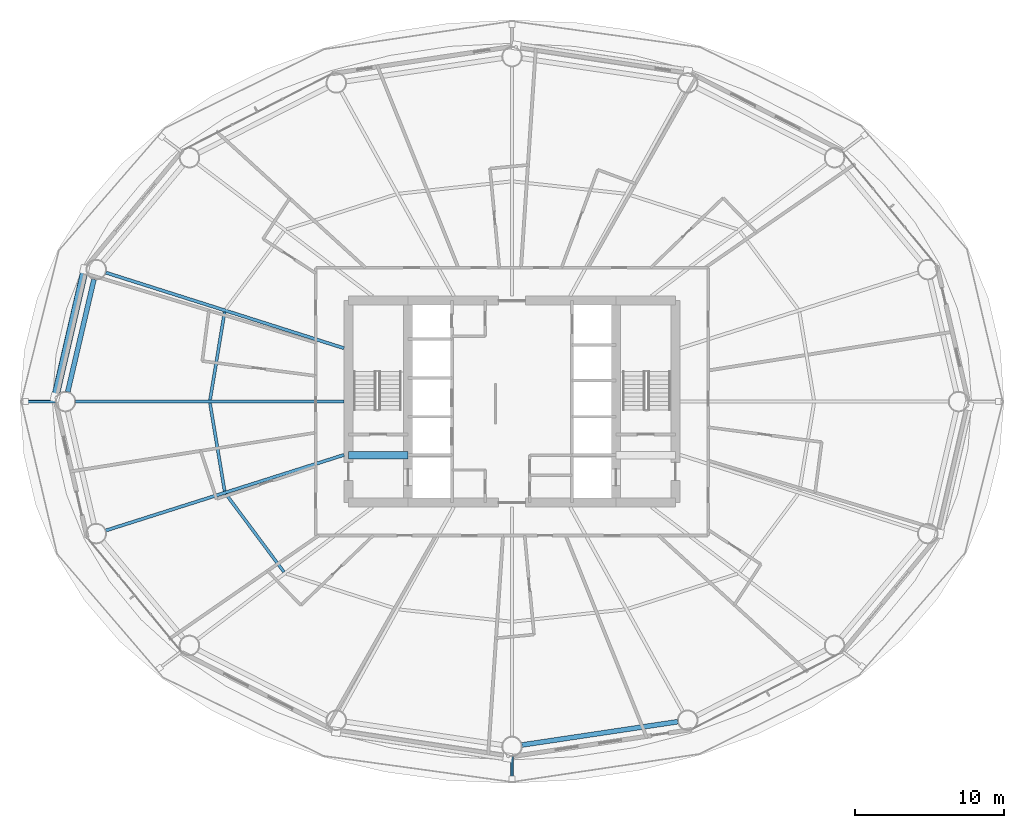
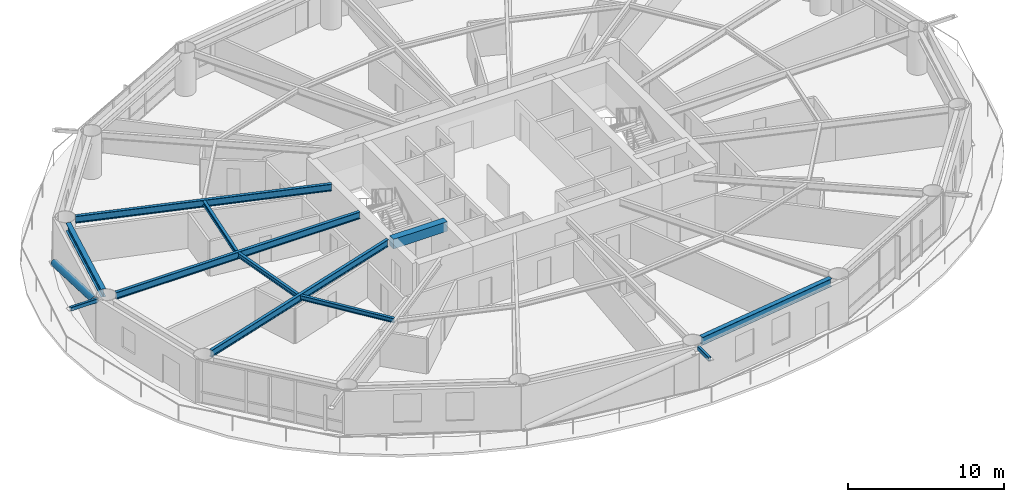
# One storey, part 5 of 26: 9 beams, 3 members.
"""IFC4 building model written with IfcOpenShell, lengths in metres."""

from ifc_helpers import new_model, si_unit, direction, frame, origin, origin_2d, place, context, subcontext, project, spatial, rectangle, hollow_rectangle, hollow_circle, i_section, extrude, material, material_profile, profile_set, type_object, element, save


model = new_model("IFC4")

# Units and contexts
model_context = context("Model", 3, precision=1e-05, world=origin(), true_north=direction((0.0, 1.0)))
body_context = subcontext(model_context, "Body", "Model", "MODEL_VIEW")
ifc_project = project(units=[si_unit("LENGTHUNIT", "METRE"), si_unit("AREAUNIT", "SQUARE_METRE"), si_unit("VOLUMEUNIT", "CUBIC_METRE"), si_unit("PLANEANGLEUNIT", "RADIAN"), si_unit("MASSUNIT", "GRAM", prefix="KILO")], contexts=[model_context])

# Site, building, storey
site_placement = place(None, origin())
site = spatial("IfcSite", under=ifc_project, at=site_placement, CompositionType="ELEMENT")
building_placement = place(site_placement, origin())
building = spatial("IfcBuilding", under=site, at=building_placement, Name="Sarneth Arch Tower", CompositionType="ELEMENT")
storey_placement = place(building_placement, frame((0.0, 0.0, 60.60009765625)))
storey = spatial("IfcBuildingStorey", under=building, at=storey_placement, Name="L14", CompositionType="ELEMENT", Elevation=60.60009765625)

# Beams
ifc_material_1 = material(Name="Steel S355", Category="steel")
ifc_material_profile_1 = material_profile(ifc_material_1, i_section(OverallWidth=0.2041015625, OverallDepth=0.35009765625, WebThickness=0.008544921875, FlangeThickness=0.01513671875, FilletRadius=0.014892578125, at=origin_2d()), Name="W360x72")
ifc_profile_set_1 = profile_set([ifc_material_profile_1], Name="Steel S355")
beam_type_1 = type_object("IfcBeamType", Name="BM-JOIST-360D", PredefinedType="JOIST", material=ifc_profile_set_1)
for number, where, z_axis, x_axis, name in (
    (1, (28.67138671875, 48.025146484375, 3.204833984375), (-0.163917352659, -0.986474075431, 0.0), (0.986474075431, -0.163917352659, 0.0), "L14 Secondary floor joist 08"),
    (2, (27.687744140625, 41.89453125, 3.204833984375), (0.163917352659, -0.986474075431, 0.0), (0.986474075431, 0.163917352659, 0.0), "L14 Secondary floor joist 09"),
):
    element("IfcBeam", number, at=place(storey_placement, frame(where, z_axis=z_axis, x_axis=x_axis)), inside=storey, type_object=beam_type_1, Name=name, PredefinedType="JOIST", context=body_context, shape_type="SweptSolid", body=[
        extrude(i_section(OverallWidth=0.2041015625, OverallDepth=0.35009765625, WebThickness=0.008544921875, FlangeThickness=0.01513671875, FilletRadius=0.014892578125, at=origin_2d()), origin(), (0.0, 0.0, 1.0), 6.000732421875),
    ])
beam_1_placement = place(storey_placement, frame((28.7529296875, 35.783447265625, 3.204833984375), z_axis=(0.597453564101, -0.801903509621, 0.0), x_axis=(0.801903509621, 0.597453564101, 0.0)))
element("IfcBeam", 3, at=beam_1_placement, inside=storey, type_object=beam_type_1, Name="L14 Secondary floor joist 10", PredefinedType="JOIST", context=body_context, shape_type="SweptSolid", body=[
    extrude(i_section(OverallWidth=0.2041015625, OverallDepth=0.35009765625, WebThickness=0.008544921875, FlangeThickness=0.01513671875, FilletRadius=0.014892578125, at=origin_2d()), origin(), (0.0, 0.0, 1.0), 6.542724609375),
])
ifc_material_2 = material(Name="Concrete C50/60", Category="concrete")
ifc_material_profile_2 = material_profile(ifc_material_2, rectangle(XDim=0.5, YDim=0.75, at=origin_2d()), Name="RC-500x750")
ifc_profile_set_2 = profile_set([ifc_material_profile_2], Name="Concrete C50/60")
beam_type_2 = type_object("IfcBeamType", Name="BM-LINTEL-RC", PredefinedType="LINTEL", material=ifc_profile_set_2)
beam_2_placement = place(storey_placement, frame((37.0, 38.39990234375, 3.0048828125), z_axis=(1.0, 0.0, 0.0), x_axis=(0.0, 1.0, 0.0)))
element("IfcBeam", 4, at=beam_2_placement, inside=storey, type_object=beam_type_2, Name="L14 Core coupling lintel W", PredefinedType="LINTEL", context=body_context, shape_type="SweptSolid", body=[
    extrude(rectangle(XDim=0.5, YDim=0.75, at=origin_2d()), origin(), (0.0, 0.0, 1.0), 4.0),
])
ifc_material_3 = material(Name="Steel S355", Category="steel")
ifc_material_profile_3 = material_profile(ifc_material_3, i_section(OverallWidth=0.214111328125, OverallDepth=0.549072265625, WebThickness=0.0146484375, FlangeThickness=0.023681640625, FilletRadius=0.01806640625, at=origin_2d()), Name="W530x138")
ifc_profile_set_3 = profile_set([ifc_material_profile_3], Name="Steel S355")
beam_type_3 = type_object("IfcBeamType", Name="BM-RAD-530A", PredefinedType="BEAM", material=ifc_profile_set_3)
beam_3_placement = place(storey_placement, frame((36.699951171875, 45.58740234375, 3.10546875), z_axis=(-0.953119945629, 0.302592744864, 0.0), x_axis=(-0.302592744864, -0.953119945629, 0.0)))
element("IfcBeam", 5, at=beam_3_placement, inside=storey, type_object=beam_type_3, Name="L14 Radial floor girder 08", PredefinedType="BEAM", context=body_context, shape_type="SweptSolid", body=[
    extrude(i_section(OverallWidth=0.214111328125, OverallDepth=0.549072265625, WebThickness=0.0146484375, FlangeThickness=0.023681640625, FilletRadius=0.01806640625, at=origin_2d()), origin(), (0.0, 0.0, 1.0), 16.810302734375),
])
beam_4_placement = place(storey_placement, frame((36.699951171875, 42.0, 3.10546875), z_axis=(-1.0, 0.0, 0.0), x_axis=(0.0, -1.0, 0.0)))
element("IfcBeam", 6, at=beam_4_placement, inside=storey, type_object=beam_type_3, Name="L14 Radial floor girder 09", PredefinedType="BEAM", context=body_context, shape_type="SweptSolid", body=[
    extrude(i_section(OverallWidth=0.214111328125, OverallDepth=0.549072265625, WebThickness=0.0146484375, FlangeThickness=0.023681640625, FilletRadius=0.01806640625, at=origin_2d()), origin(), (0.0, 0.0, 1.0), 18.059814453125),
])
beam_5_placement = place(storey_placement, frame((36.699951171875, 38.41259765625, 3.10546875), z_axis=(-0.953119945629, -0.302592744864, 0.0), x_axis=(0.302592744864, -0.953119945629, 0.0)))
element("IfcBeam", 7, at=beam_5_placement, inside=storey, type_object=beam_type_3, Name="L14 Radial floor girder 10", PredefinedType="BEAM", context=body_context, shape_type="SweptSolid", body=[
    extrude(i_section(OverallWidth=0.214111328125, OverallDepth=0.549072265625, WebThickness=0.0146484375, FlangeThickness=0.023681640625, FilletRadius=0.01806640625, at=origin_2d()), origin(), (0.0, 0.0, 1.0), 16.810302734375),
])
ifc_material_4 = material(Name="Steel S355", Category="steel")
ifc_material_profile_4 = material_profile(ifc_material_4, i_section(OverallWidth=0.326904296875, OverallDepth=0.6220703125, WebThickness=0.015380859375, FlangeThickness=0.0244140625, FilletRadius=0.01904296875, at=origin_2d()), Name="W610x195")
ifc_profile_set_4 = profile_set([ifc_material_profile_4], Name="Steel S355")
beam_type_4 = type_object("IfcBeamType", Name="BM-SPAN-610A", PredefinedType="SPANDREL", material=ifc_profile_set_4)
beam_6_placement = place(storey_placement, frame((19.88134765625, 50.220947265625, 3.06884765625), z_axis=(-0.227001042423, -0.973894515201, 0.0), x_axis=(0.973894515201, -0.227001042423, 0.0)))
element("IfcBeam", 8, at=beam_6_placement, inside=storey, type_object=beam_type_4, Name="L14 Perimeter spandrel beam 08", PredefinedType="SPANDREL", context=body_context, shape_type="SweptSolid", body=[
    extrude(i_section(OverallWidth=0.326904296875, OverallDepth=0.6220703125, WebThickness=0.015380859375, FlangeThickness=0.0244140625, FilletRadius=0.01904296875, at=origin_2d()), origin(), (0.0, 0.0, 1.0), 7.76611328125),
])
beam_7_placement = place(storey_placement, frame((48.66748046875, 18.899658203125, 3.06884765625), z_axis=(0.989015788086, 0.147809914809, 0.0), x_axis=(-0.147809914809, 0.989015788086, 0.0)))
element("IfcBeam", 9, at=beam_7_placement, inside=storey, type_object=beam_type_4, Name="L14 Perimeter spandrel beam 13", PredefinedType="SPANDREL", context=body_context, shape_type="SweptSolid", body=[
    extrude(i_section(OverallWidth=0.326904296875, OverallDepth=0.6220703125, WebThickness=0.015380859375, FlangeThickness=0.0244140625, FilletRadius=0.01904296875, at=origin_2d()), origin(), (0.0, 0.0, 1.0), 10.59912109375),
])

# Members
ifc_material_5 = material(Name="Steel S355", Category="steel")
ifc_material_profile_5 = material_profile(ifc_material_5, hollow_rectangle(XDim=0.199951171875, YDim=0.300048828125, WallThickness=0.012451171875, InnerFilletRadius=0.018798828125, OuterFilletRadius=0.03125, at=origin_2d()), Name="RHS300x200x12.5")
ifc_profile_set_5 = profile_set([ifc_material_profile_5], Name="Steel S355")
member_type_1 = type_object("IfcMemberType", Name="MEM-CANT-STRUT", PredefinedType="STRUT", material=ifc_profile_set_5)
member_1_placement = place(storey_placement, frame((17.290283203125, 42.0, 3.219970703125), z_axis=(-1.0, 0.0, 0.0), x_axis=(0.0, -1.0, 0.0)))
element("IfcMember", 10, at=member_1_placement, inside=storey, type_object=member_type_1, Name="L14 Balcony cantilever bracket 09", PredefinedType="STRUT", context=body_context, shape_type="SweptSolid", body=[
    extrude(hollow_rectangle(XDim=0.199951171875, YDim=0.300048828125, WallThickness=0.012451171875, InnerFilletRadius=0.018798828125, OuterFilletRadius=0.03125, at=origin_2d()), origin(), (0.0, 0.0, 1.0), 2.008544921875),
])
member_2_placement = place(storey_placement, frame((48.0, 18.125, 3.219970703125), z_axis=(0.0, -1.0, 0.0), x_axis=(1.0, 0.0, 0.0)))
element("IfcMember", 11, at=member_2_placement, inside=storey, type_object=member_type_1, Name="L14 Balcony cantilever bracket 13", PredefinedType="STRUT", context=body_context, shape_type="SweptSolid", body=[
    extrude(hollow_rectangle(XDim=0.199951171875, YDim=0.300048828125, WallThickness=0.012451171875, InnerFilletRadius=0.018798828125, OuterFilletRadius=0.03125, at=origin_2d()), origin(), (0.0, 0.0, 1.0), 1.49169921875),
])
ifc_material_6 = material(Name="Steel S355", Category="steel")
ifc_material_profile_6 = material_profile(ifc_material_6, hollow_circle(Radius=0.25390625, WallThickness=0.01611328125, at=origin_2d()), Name="CHS508x16")
ifc_profile_set_6 = profile_set([ifc_material_profile_6], Name="Steel S355")
member_type_2 = type_object("IfcMemberType", Name="MEM-DIAG-BR1", PredefinedType="BRACE", material=ifc_profile_set_6)
member_3_placement = place(storey_placement, frame((19.260986328125, 50.884521484375, 0.02001953125), z_axis=(-0.213334102296, -0.922822074264, 0.320761562609), x_axis=(0.974304339016, -0.225235554419, 0.0)))
element("IfcMember", 12, at=member_3_placement, inside=storey, type_object=member_type_2, Name="L14 Perimeter frame diagonal 08", PredefinedType="BRACE", context=body_context, shape_type="SweptSolid", body=[
    extrude(hollow_circle(Radius=0.25390625, WallThickness=0.01611328125, at=origin_2d()), origin(), (0.0, 0.0, 1.0), 9.310791015625),
])

save(model, "model.ifc")
